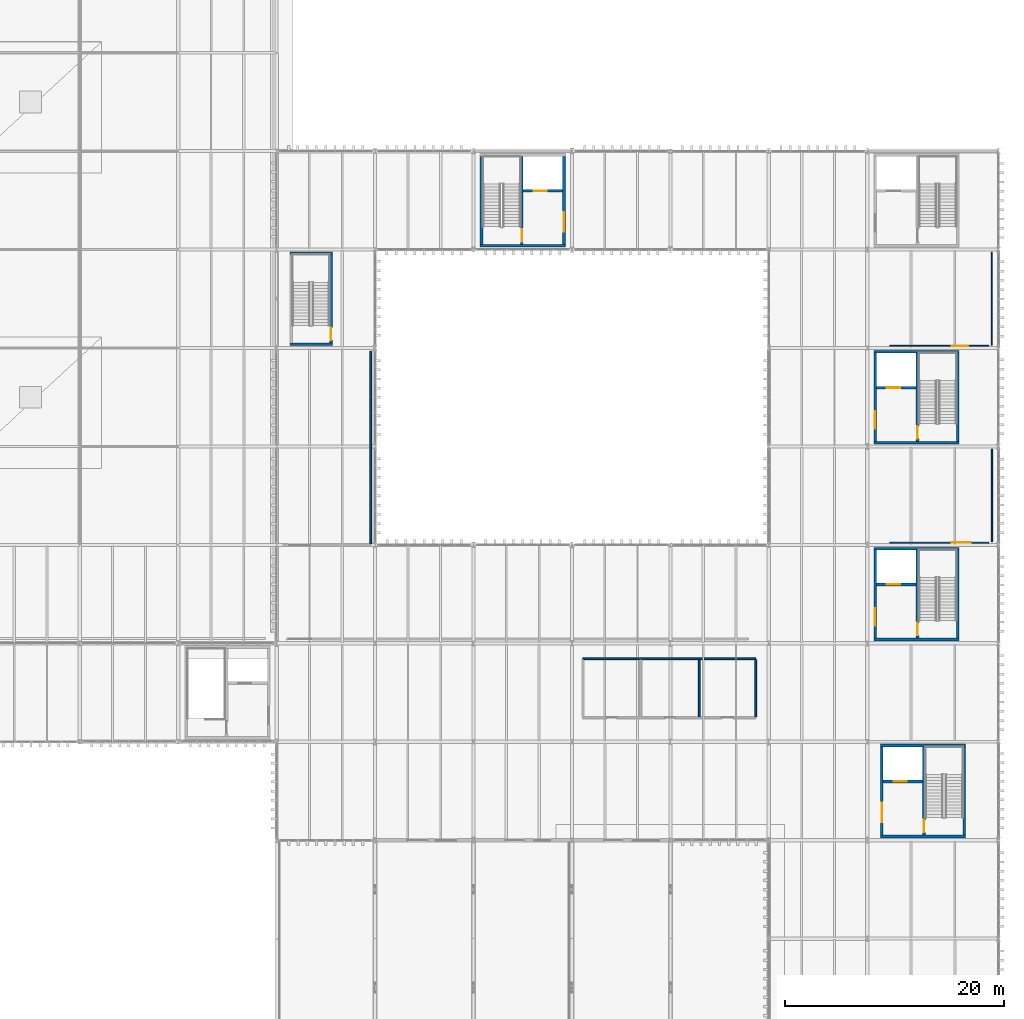
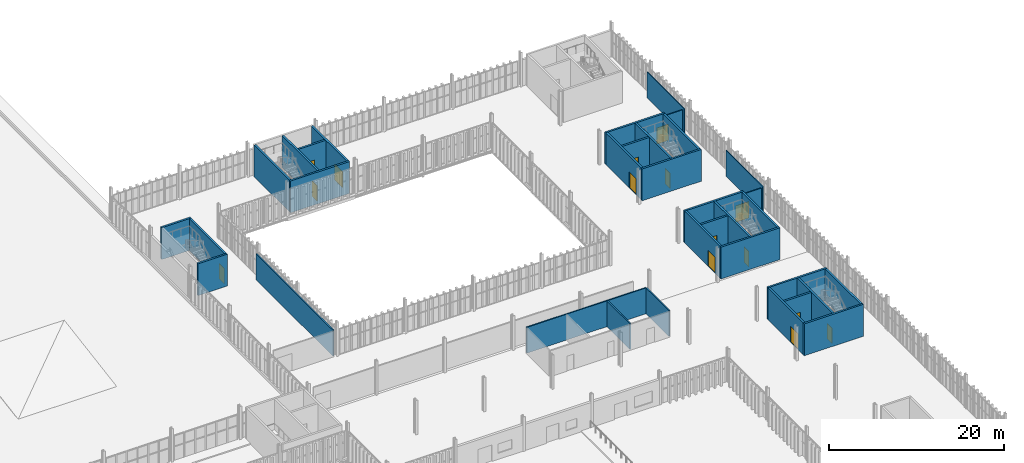
# One storey, part 181 of 196: 34 walls, 15 doors, 15 openings.
"""IFC4 building model written with IfcOpenShell, lengths in metres."""

from ifc_helpers import new_model, si_unit, direction, frame, frame_2d, origin, place, context, subcontext, project, spatial, rectangle, extrude, material, layer, layer_set, type_object, element, fill, save


model = new_model("IFC4")

# Units and contexts
model_context = context("Model", 3, precision=1e-05, world=origin(), true_north=direction((0.0, 1.0)))
body_context = subcontext(model_context, "Body", "Model", "MODEL_VIEW")
ifc_project = project(units=[si_unit("LENGTHUNIT", "METRE"), si_unit("AREAUNIT", "SQUARE_METRE"), si_unit("VOLUMEUNIT", "CUBIC_METRE"), si_unit("PLANEANGLEUNIT", "RADIAN"), si_unit("MASSUNIT", "GRAM", prefix="KILO")], contexts=[model_context])

# Site, building, storey
site_placement = place(None, origin())
site = spatial("IfcSite", under=ifc_project, at=site_placement, CompositionType="ELEMENT")
building_placement = place(site_placement, origin())
building = spatial("IfcBuilding", under=site, at=building_placement, Name="Barlavento Convention Centre", CompositionType="ELEMENT")
storey_placement = place(building_placement, frame((0.0, 0.0, 18.0)))
storey = spatial("IfcBuildingStorey", under=building, at=storey_placement, Name="L03", CompositionType="ELEMENT", Elevation=18.0)

# Wall, opening, door
ifc_material_1 = material(Name="Glazed office partition", Category="glass")
ifc_layer_1 = layer(ifc_material_1, 0.094970703125)
ifc_layer_set_1 = layer_set([ifc_layer_1], Name="ARC-WL-PART-095")
wall_type_1 = type_object("IfcWallType", Name="ARC-WL-PART-095", PredefinedType="PARTITIONING", material=ifc_layer_set_1)
wall_1_placement = place(storey_placement, frame((182.06005859375, 81.199951171875, 0.0), z_axis=(0.0, 0.0, 1.0), x_axis=(1.0, 0.0, 0.0)))
wall_1 = element("IfcWall", 1, at=wall_1_placement, inside=storey, type_object=wall_type_1, Name="L03 interior wall PT-07", PredefinedType="PARTITIONING", context=body_context, shape_type="SweptSolid", body=[
    extrude(rectangle(XDim=9.0400390625, YDim=0.094970703125, at=frame_2d((4.52001953125, 0.0))), origin(), (0.0, 0.0, 1.0), 3.60009765625),
])
opening_1_placement = place(wall_1_placement, frame((5.64990234375, 0.0, 0.0)))
opening_1 = element("IfcOpeningElement", 2, at=opening_1_placement, cuts=wall_1, Name="Opening ID-04", PredefinedType="OPENING", context=body_context, shape_type="SweptSolid", body=[
    extrude(rectangle(XDim=1.5, YDim=2.25, at=frame_2d((0.75, 1.125))), frame((0.0, 0.057373046875, 0.0), z_axis=(0.0, -1.0, 0.0), x_axis=(1.0, 0.0, 0.0)), (0.0, 0.0, 1.0), 0.114990234375),
])
ifc_material_2 = material(Name="Timber veneer acoustic core", Category="wood")
door_type_1 = type_object("IfcDoorType", Name="ARC-DR-CONF-1500X2250", OperationType="DOUBLE_DOOR_SINGLE_SWING", PredefinedType="DOOR", material=ifc_material_2)
door_1_placement = place(opening_1_placement, origin())
door_1 = element("IfcDoor", 3, at=door_1_placement, inside=storey, type_object=door_type_1, Name="DR-INT-L03-0237 L03 interior door ID-04", OperationType="DOUBLE_DOOR_SINGLE_SWING", OverallHeight=2.25, OverallWidth=1.5, PredefinedType="DOOR", context=body_context, shape_type="SweptSolid", body=[
    extrude(rectangle(XDim=1.5, YDim=2.25, at=frame_2d((0.75, 1.125))), frame((0.0, 0.02490234375, 0.0), z_axis=(0.0, -1.0, 0.0), x_axis=(1.0, 0.0, 0.0)), (0.0, 0.0, 1.0), 0.050048828125),
])
fill(opening_1, door_1)

# Wall
wall_2_placement = place(storey_placement, frame((191.39990234375, 81.257080078125, 0.0), z_axis=(0.0, 0.0, 1.0), x_axis=(0.0, 1.0, 0.0)))
element("IfcWall", 4, at=wall_2_placement, inside=storey, type_object=wall_type_1, Name="L03 interior wall PT-07", PredefinedType="PARTITIONING", context=body_context, shape_type="SweptSolid", body=[
    extrude(rectangle(XDim=8.48583984375, YDim=0.094970703125, at=frame_2d((4.242919921875, 0.0))), origin(), (0.0, 0.0, 1.0), 3.60009765625),
])

# Wall, opening, door
ifc_material_3 = material(Name="Lightweight gypsum partition")
ifc_layer_2 = layer(ifc_material_3, 0.125)
ifc_layer_set_2 = layer_set([ifc_layer_2], Name="ARC-WL-PART-125")
wall_type_2 = type_object("IfcWallType", Name="ARC-WL-PART-125", PredefinedType="PARTITIONING", material=ifc_layer_set_2)
wall_3_placement = place(storey_placement, frame((182.06005859375, 63.199951171875, 0.0), z_axis=(0.0, 0.0, 1.0), x_axis=(1.0, 0.0, 0.0)))
wall_3 = element("IfcWall", 5, at=wall_3_placement, inside=storey, type_object=wall_type_2, Name="L03 interior wall PT-05", PredefinedType="PARTITIONING", context=body_context, shape_type="SweptSolid", body=[
    extrude(rectangle(XDim=9.0400390625, YDim=0.125, at=frame_2d((4.52001953125, 0.0))), origin(), (0.0, 0.0, 1.0), 3.60009765625),
])
opening_2_placement = place(wall_3_placement, frame((5.64990234375, 0.0, 0.0)))
opening_2 = element("IfcOpeningElement", 6, at=opening_2_placement, cuts=wall_3, Name="Opening ID-03", PredefinedType="OPENING", context=body_context, shape_type="SweptSolid", body=[
    extrude(rectangle(XDim=1.75, YDim=2.300048828125, at=frame_2d((0.875, 1.14990234375))), frame((0.0, 0.072509765625, 0.0), z_axis=(0.0, -1.0, 0.0), x_axis=(1.0, 0.0, 0.0)), (0.0, 0.0, 1.0), 0.14501953125),
])
door_type_2 = type_object("IfcDoorType", Name="ARC-DR-CONF-1750X2300", OperationType="DOUBLE_DOOR_SINGLE_SWING", PredefinedType="DOOR", material=ifc_material_2)
door_2_placement = place(opening_2_placement, origin())
door_2 = element("IfcDoor", 7, at=door_2_placement, inside=storey, type_object=door_type_2, Name="DR-INT-L03-0236 L03 interior door ID-03", OperationType="DOUBLE_DOOR_SINGLE_SWING", OverallHeight=2.300048828125, OverallWidth=1.75, PredefinedType="DOOR", context=body_context, shape_type="SweptSolid", body=[
    extrude(rectangle(XDim=1.75, YDim=2.300048828125, at=frame_2d((0.875, 1.14990234375))), frame((0.0, 0.02490234375, 0.0), z_axis=(0.0, -1.0, 0.0), x_axis=(1.0, 0.0, 0.0)), (0.0, 0.0, 1.0), 0.050048828125),
])
fill(opening_2, door_2)

# Walls
wall_4_placement = place(storey_placement, frame((191.39990234375, 63.27490234375, 0.0), z_axis=(0.0, 0.0, 1.0), x_axis=(0.0, 1.0, 0.0)))
element("IfcWall", 8, at=wall_4_placement, inside=storey, type_object=wall_type_2, Name="L03 interior wall PT-05", PredefinedType="PARTITIONING", context=body_context, shape_type="SweptSolid", body=[
    extrude(rectangle(XDim=8.4501953125, YDim=0.125, at=frame_2d((4.22509765625, 0.0))), origin(), (0.0, 0.0, 1.0), 3.60009765625),
])
ifc_material_4 = material(Name="Metal stud acoustic partition")
ifc_layer_3 = layer(ifc_material_4, 0.155029296875)
ifc_layer_set_3 = layer_set([ifc_layer_3], Name="ARC-WL-PART-155")
wall_type_3 = type_object("IfcWallType", Name="ARC-WL-PART-155", PredefinedType="PARTITIONING", material=ifc_layer_set_3)
wall_5_placement = place(storey_placement, frame((134.60009765625, 63.093017578125, 0.0), z_axis=(0.0, 0.0, 1.0), x_axis=(0.0, 1.0, 0.0)))
element("IfcWall", 9, at=wall_5_placement, inside=storey, type_object=wall_type_3, Name="L03 interior wall PT-03", PredefinedType="PARTITIONING", context=body_context, shape_type="SweptSolid", body=[
    extrude(rectangle(XDim=17.614013671875, YDim=0.155029296875, at=frame_2d((8.80712890625, 0.0))), origin(), (0.0, 0.0, 1.0), 3.60009765625),
])
ifc_material_5 = material(Name="Sanitary service chase plumbing wall")
ifc_layer_4 = layer(ifc_material_5, 0.159912109375)
ifc_layer_set_4 = layer_set([ifc_layer_4], Name="ARC-WL-PLMB-160")
wall_type_4 = type_object("IfcWallType", Name="ARC-WL-PLMB-160", PredefinedType="PLUMBINGWALL", material=ifc_layer_set_4)
wall_6_placement = place(storey_placement, frame((154.0, 52.60009765625, 0.0), z_axis=(0.0, 0.0, 1.0), x_axis=(1.0, 0.0, 0.0)))
element("IfcWall", 10, at=wall_6_placement, inside=storey, type_object=wall_type_4, Name="L03 interior wall PW-03", PredefinedType="PLUMBINGWALL", context=body_context, shape_type="SweptSolid", body=[
    extrude(rectangle(XDim=15.800048828125, YDim=0.159912109375, at=frame_2d((7.89990234375, 0.0))), origin(), (0.0, 0.0, 1.0), 3.60009765625),
])
for number, where, z_axis, x_axis, name in (
    (11, (164.639892578125, 47.2880859375, 0.0), (0.0, 0.0, 1.0), (0.0, 1.0, 0.0), "L03 interior wall PW-03"),
    (12, (169.800048828125, 47.2880859375, 0.0), (0.0, 0.0, 1.0), (0.0, 1.0, 0.0), "L03 interior wall PW-03"),
):
    element("IfcWall", number, at=place(storey_placement, frame(where, z_axis=z_axis, x_axis=x_axis)), inside=storey, type_object=wall_type_4, Name=name, PredefinedType="PLUMBINGWALL", context=body_context, shape_type="SweptSolid", body=[
        extrude(rectangle(XDim=5.223876953125, YDim=0.159912109375, at=frame_2d((2.61181640625, 0.0))), origin(), (0.0, 0.0, 1.0), 3.60009765625),
    ])

# Wall, opening, door
ifc_material_6 = material(Name="Concrete C50/60", Category="concrete")
ifc_layer_5 = layer(ifc_material_6, 0.25)
ifc_layer_set_5 = layer_set([ifc_layer_5], Name="STR-WL-CORE-250")
wall_type_5 = type_object("IfcWallType", Name="STR-WL-CORE-250", PredefinedType="SHEAR", material=ifc_layer_set_5)
wall_7_placement = place(storey_placement, frame((180.72509765625, 54.469970703125, 0.0), z_axis=(0.0, 0.0, 1.0), x_axis=(0.0, 1.0, 0.0)))
wall_7 = element("IfcWall", 13, at=wall_7_placement, inside=storey, type_object=wall_type_5, Name="L03 interior wall CW-02", PredefinedType="SHEAR", context=body_context, shape_type="SweptSolid", body=[
    extrude(rectangle(XDim=8.06005859375, YDim=0.25, at=frame_2d((4.030029296875, 0.0))), origin(), (0.0, 0.0, 1.0), 4.43994140625),
])
opening_3_placement = place(wall_7_placement, frame((1.14990234375, 0.0, 0.0)))
opening_3 = element("IfcOpeningElement", 14, at=opening_3_placement, cuts=wall_7, Name="Opening FD-02", PredefinedType="OPENING", context=body_context, shape_type="SweptSolid", body=[
    extrude(rectangle(XDim=1.60009765625, YDim=2.199951171875, at=frame_2d((0.800048828125, 1.10009765625))), frame((0.0, 0.135009765625, 0.0), z_axis=(0.0, -1.0, 0.0), x_axis=(1.0, 0.0, 0.0)), (0.0, 0.0, 1.0), 0.27001953125),
])
ifc_material_7 = material(Name="Painted galvanized steel", Category="steel")
door_type_3 = type_object("IfcDoorType", Name="ARC-DR-FIRE-1600X2200", OperationType="DOUBLE_DOOR_SINGLE_SWING", PredefinedType="DOOR", material=ifc_material_7)
door_3_placement = place(opening_3_placement, origin())
door_3 = element("IfcDoor", 15, at=door_3_placement, inside=storey, type_object=door_type_3, Name="DR-INT-L03-0069 L03 LP4 lobby fire door", OperationType="DOUBLE_DOOR_SINGLE_SWING", OverallHeight=2.199951171875, OverallWidth=1.60009765625, PredefinedType="DOOR", context=body_context, shape_type="SweptSolid", body=[
    extrude(rectangle(XDim=1.60009765625, YDim=2.199951171875, at=frame_2d((0.800048828125, 1.10009765625))), frame((0.0, 0.02490234375, 0.0), z_axis=(0.0, -1.0, 0.0), x_axis=(1.0, 0.0, 0.0)), (0.0, 0.0, 1.0), 0.050048828125),
])
fill(opening_3, door_3)

# Walls
wall_8_placement = place(storey_placement, frame((188.27490234375, 54.469970703125, 0.0), z_axis=(0.0, 0.0, 1.0), x_axis=(0.0, 1.0, 0.0)))
element("IfcWall", 16, at=wall_8_placement, inside=storey, type_object=wall_type_5, Name="L03 interior wall CW-02", PredefinedType="SHEAR", context=body_context, shape_type="SweptSolid", body=[
    extrude(rectangle(XDim=8.06005859375, YDim=0.25, at=frame_2d((4.030029296875, 0.0))), origin(), (0.0, 0.0, 1.0), 4.43994140625),
])
for number, where, z_axis, x_axis, name in (
    (17, (180.60009765625, 54.344970703125, 0.0), (0.0, 0.0, 1.0), (1.0, 0.0, 0.0), "L03 interior wall CW-02"),
    (18, (180.60009765625, 62.655029296875, 0.0), (0.0, 0.0, 1.0), (1.0, 0.0, 0.0), "L03 interior wall CW-02"),
):
    element("IfcWall", number, at=place(storey_placement, frame(where, z_axis=z_axis, x_axis=x_axis)), inside=storey, type_object=wall_type_5, Name=name, PredefinedType="SHEAR", context=body_context, shape_type="SweptSolid", body=[
        extrude(rectangle(XDim=7.7998046875, YDim=0.25, at=frame_2d((3.89990234375, 0.0))), origin(), (0.0, 0.0, 1.0), 4.43994140625),
    ])

# Wall, opening, door
wall_9_placement = place(storey_placement, frame((184.5849609375, 54.469970703125, 0.0), z_axis=(0.0, 0.0, 1.0), x_axis=(0.0, 1.0, 0.0)))
wall_9 = element("IfcWall", 19, at=wall_9_placement, inside=storey, type_object=wall_type_5, Name="L03 interior wall CW-02", PredefinedType="SHEAR", context=body_context, shape_type="SweptSolid", body=[
    extrude(rectangle(XDim=8.06005859375, YDim=0.25, at=frame_2d((4.030029296875, 0.0))), origin(), (0.0, 0.0, 1.0), 4.43994140625),
])
opening_4_placement = place(wall_9_placement, frame((0.25, 0.0, 0.0)))
opening_4 = element("IfcOpeningElement", 20, at=opening_4_placement, cuts=wall_9, Name="Opening FD-03", PredefinedType="OPENING", context=body_context, shape_type="SweptSolid", body=[
    extrude(rectangle(XDim=1.14990234375, YDim=2.14990234375, at=frame_2d((0.574951171875, 1.074951171875))), frame((0.0, 0.135009765625, 0.0), z_axis=(0.0, -1.0, 0.0), x_axis=(1.0, 0.0, 0.0)), (0.0, 0.0, 1.0), 0.27001953125),
])
door_type_4 = type_object("IfcDoorType", Name="ARC-DR-FIRE-1150X2150", OperationType="NOTDEFINED", PredefinedType="DOOR", material=ifc_material_7)
door_4_placement = place(opening_4_placement, origin())
door_4 = element("IfcDoor", 21, at=door_4_placement, inside=storey, type_object=door_type_4, Name="DR-INT-L03-0067 L03 ST05 stair fire door FD-03", OperationType="SINGLE_SWING_LEFT", OverallHeight=2.14990234375, OverallWidth=1.14990234375, PredefinedType="DOOR", context=body_context, shape_type="SweptSolid", body=[
    extrude(rectangle(XDim=1.14990234375, YDim=2.14990234375, at=frame_2d((0.574951171875, 1.074951171875))), frame((0.0, 0.02490234375, 0.0), z_axis=(0.0, -1.0, 0.0), x_axis=(1.0, 0.0, 0.0)), (0.0, 0.0, 1.0), 0.050048828125),
])
fill(opening_4, door_4)

wall_10_placement = place(storey_placement, frame((180.85009765625, 59.3701171875, 0.0), z_axis=(0.0, 0.0, 1.0), x_axis=(1.0, 0.0, 0.0)))
wall_10 = element("IfcWall", 22, at=wall_10_placement, inside=storey, type_object=wall_type_5, Name="L03 interior wall CW-02", PredefinedType="SHEAR", context=body_context, shape_type="SweptSolid", body=[
    extrude(rectangle(XDim=3.60986328125, YDim=0.25, at=frame_2d((1.804931640625, 0.0))), origin(), (0.0, 0.0, 1.0), 4.43994140625),
])
opening_5_placement = place(wall_10_placement, frame((0.949951171875, 0.0, 0.0)))
opening_5 = element("IfcOpeningElement", 23, at=opening_5_placement, cuts=wall_10, Name="Opening LD-01", PredefinedType="OPENING", context=body_context, shape_type="SweptSolid", body=[
    extrude(rectangle(XDim=1.199951171875, YDim=2.199951171875, at=frame_2d((0.60009765625, 1.10009765625))), frame((0.0, 0.135009765625, 0.0), z_axis=(0.0, -1.0, 0.0), x_axis=(1.0, 0.0, 0.0)), (0.0, 0.0, 1.0), 0.27001953125),
])
ifc_material_8 = material(Name="Brushed stainless steel", Category="steel")
door_type_5 = type_object("IfcDoorType", Name="ARC-DR-LIFT-1200X2200", OperationType="DOUBLE_DOOR_SLIDING", PredefinedType="DOOR", material=ifc_material_8)
door_5_placement = place(opening_5_placement, origin())
door_5 = element("IfcDoor", 24, at=door_5_placement, inside=storey, type_object=door_type_5, Name="DR-INT-L03-0068 LP4 lift sliding landing door", OperationType="DOUBLE_DOOR_SLIDING", OverallHeight=2.199951171875, OverallWidth=1.199951171875, PredefinedType="DOOR", context=body_context, shape_type="SweptSolid", body=[
    extrude(rectangle(XDim=1.199951171875, YDim=2.199951171875, at=frame_2d((0.60009765625, 1.10009765625))), frame((0.0, 0.02490234375, 0.0), z_axis=(0.0, -1.0, 0.0), x_axis=(1.0, 0.0, 0.0)), (0.0, 0.0, 1.0), 0.050048828125),
])
fill(opening_5, door_5)

wall_11_placement = place(storey_placement, frame((181.324951171875, 36.469970703125, 0.0), z_axis=(0.0, 0.0, 1.0), x_axis=(0.0, 1.0, 0.0)))
wall_11 = element("IfcWall", 25, at=wall_11_placement, inside=storey, type_object=wall_type_5, Name="L03 interior wall CW-02", PredefinedType="SHEAR", context=body_context, shape_type="SweptSolid", body=[
    extrude(rectangle(XDim=8.06005859375, YDim=0.25, at=frame_2d((4.030029296875, 0.0))), origin(), (0.0, 0.0, 1.0), 4.449951171875),
])
opening_6_placement = place(wall_11_placement, frame((1.14990234375, 0.0, 0.0)))
opening_6 = element("IfcOpeningElement", 26, at=opening_6_placement, cuts=wall_11, Name="Opening FD-01", PredefinedType="OPENING", context=body_context, shape_type="SweptSolid", body=[
    extrude(rectangle(XDim=1.800048828125, YDim=2.199951171875, at=frame_2d((0.89990234375, 1.10009765625))), frame((0.0, 0.135009765625, 0.0), z_axis=(0.0, -1.0, 0.0), x_axis=(1.0, 0.0, 0.0)), (0.0, 0.0, 1.0), 0.27001953125),
])
door_type_6 = type_object("IfcDoorType", Name="ARC-DR-FIRE-1800X2200", OperationType="DOUBLE_DOOR_SINGLE_SWING", PredefinedType="DOOR", material=ifc_material_7)
door_6_placement = place(opening_6_placement, origin())
door_6 = element("IfcDoor", 27, at=door_6_placement, inside=storey, type_object=door_type_6, Name="DR-INT-L03-0090 L03 FL2 lobby fire door", OperationType="DOUBLE_DOOR_SINGLE_SWING", OverallHeight=2.199951171875, OverallWidth=1.800048828125, PredefinedType="DOOR", context=body_context, shape_type="SweptSolid", body=[
    extrude(rectangle(XDim=1.800048828125, YDim=2.199951171875, at=frame_2d((0.89990234375, 1.10009765625))), frame((0.0, 0.02490234375, 0.0), z_axis=(0.0, -1.0, 0.0), x_axis=(1.0, 0.0, 0.0)), (0.0, 0.0, 1.0), 0.050048828125),
])
fill(opening_6, door_6)

# Walls
wall_12_placement = place(storey_placement, frame((188.875, 36.469970703125, 0.0), z_axis=(0.0, 0.0, 1.0), x_axis=(0.0, 1.0, 0.0)))
element("IfcWall", 28, at=wall_12_placement, inside=storey, type_object=wall_type_5, Name="L03 interior wall CW-02", PredefinedType="SHEAR", context=body_context, shape_type="SweptSolid", body=[
    extrude(rectangle(XDim=8.06005859375, YDim=0.25, at=frame_2d((4.030029296875, 0.0))), origin(), (0.0, 0.0, 1.0), 4.449951171875),
])
for number, where, z_axis, x_axis, name in (
    (29, (181.199951171875, 36.344970703125, 0.0), (0.0, 0.0, 1.0), (1.0, 0.0, 0.0), "L03 interior wall CW-02"),
    (30, (181.199951171875, 44.655029296875, 0.0), (0.0, 0.0, 1.0), (1.0, 0.0, 0.0), "L03 interior wall CW-02"),
):
    element("IfcWall", number, at=place(storey_placement, frame(where, z_axis=z_axis, x_axis=x_axis)), inside=storey, type_object=wall_type_5, Name=name, PredefinedType="SHEAR", context=body_context, shape_type="SweptSolid", body=[
        extrude(rectangle(XDim=7.800048828125, YDim=0.25, at=frame_2d((3.89990234375, 0.0))), origin(), (0.0, 0.0, 1.0), 4.449951171875),
    ])

# Wall, opening, door
wall_13_placement = place(storey_placement, frame((185.18505859375, 36.469970703125, 0.0), z_axis=(0.0, 0.0, 1.0), x_axis=(0.0, 1.0, 0.0)))
wall_13 = element("IfcWall", 31, at=wall_13_placement, inside=storey, type_object=wall_type_5, Name="L03 interior wall CW-02", PredefinedType="SHEAR", context=body_context, shape_type="SweptSolid", body=[
    extrude(rectangle(XDim=8.06005859375, YDim=0.25, at=frame_2d((4.030029296875, 0.0))), origin(), (0.0, 0.0, 1.0), 4.449951171875),
])
opening_7_placement = place(wall_13_placement, frame((0.25, 0.0, 0.0)))
opening_7 = element("IfcOpeningElement", 32, at=opening_7_placement, cuts=wall_13, Name="Opening FD-03", PredefinedType="OPENING", context=body_context, shape_type="SweptSolid", body=[
    extrude(rectangle(XDim=1.14990234375, YDim=2.14990234375, at=frame_2d((0.574951171875, 1.074951171875))), frame((0.0, 0.135009765625, 0.0), z_axis=(0.0, -1.0, 0.0), x_axis=(1.0, 0.0, 0.0)), (0.0, 0.0, 1.0), 0.27001953125),
])
door_7_placement = place(opening_7_placement, origin())
door_7 = element("IfcDoor", 33, at=door_7_placement, inside=storey, type_object=door_type_4, Name="DR-INT-L03-0088 L03 ST06 stair fire door FD-03", OperationType="SINGLE_SWING_RIGHT", OverallHeight=2.14990234375, OverallWidth=1.14990234375, PredefinedType="DOOR", context=body_context, shape_type="SweptSolid", body=[
    extrude(rectangle(XDim=1.14990234375, YDim=2.14990234375, at=frame_2d((0.574951171875, 1.074951171875))), frame((0.0, 0.02490234375, 0.0), z_axis=(0.0, -1.0, 0.0), x_axis=(1.0, 0.0, 0.0)), (0.0, 0.0, 1.0), 0.050048828125),
])
fill(opening_7, door_7)

wall_14_placement = place(storey_placement, frame((181.449951171875, 41.3701171875, 0.0), z_axis=(0.0, 0.0, 1.0), x_axis=(1.0, 0.0, 0.0)))
wall_14 = element("IfcWall", 34, at=wall_14_placement, inside=storey, type_object=wall_type_5, Name="L03 interior wall CW-02", PredefinedType="SHEAR", context=body_context, shape_type="SweptSolid", body=[
    extrude(rectangle(XDim=3.610107421875, YDim=0.25, at=frame_2d((1.80517578125, 0.0))), origin(), (0.0, 0.0, 1.0), 4.449951171875),
])
opening_8_placement = place(wall_14_placement, frame((0.949951171875, 0.0, 0.0)))
opening_8 = element("IfcOpeningElement", 35, at=opening_8_placement, cuts=wall_14, Name="Opening LD-01", PredefinedType="OPENING", context=body_context, shape_type="SweptSolid", body=[
    extrude(rectangle(XDim=1.199951171875, YDim=2.199951171875, at=frame_2d((0.60009765625, 1.10009765625))), frame((0.0, 0.135009765625, 0.0), z_axis=(0.0, -1.0, 0.0), x_axis=(1.0, 0.0, 0.0)), (0.0, 0.0, 1.0), 0.27001953125),
])
door_8_placement = place(opening_8_placement, origin())
door_8 = element("IfcDoor", 36, at=door_8_placement, inside=storey, type_object=door_type_5, Name="DR-INT-L03-0089 FL2 lift sliding landing door", OperationType="DOUBLE_DOOR_SLIDING", OverallHeight=2.199951171875, OverallWidth=1.199951171875, PredefinedType="DOOR", context=body_context, shape_type="SweptSolid", body=[
    extrude(rectangle(XDim=1.199951171875, YDim=2.199951171875, at=frame_2d((0.60009765625, 1.10009765625))), frame((0.0, 0.02490234375, 0.0), z_axis=(0.0, -1.0, 0.0), x_axis=(1.0, 0.0, 0.0)), (0.0, 0.0, 1.0), 0.050048828125),
])
fill(opening_8, door_8)

wall_15_placement = place(storey_placement, frame((180.72509765625, 72.469970703125, 0.0), z_axis=(0.0, 0.0, 1.0), x_axis=(0.0, 1.0, 0.0)))
wall_15 = element("IfcWall", 37, at=wall_15_placement, inside=storey, type_object=wall_type_5, Name="L03 interior wall CW-02", PredefinedType="SHEAR", context=body_context, shape_type="SweptSolid", body=[
    extrude(rectangle(XDim=8.06005859375, YDim=0.25, at=frame_2d((4.030029296875, 0.0))), origin(), (0.0, 0.0, 1.0), 4.43994140625),
])
opening_9_placement = place(wall_15_placement, frame((1.14990234375, 0.0, 0.0)))
opening_9 = element("IfcOpeningElement", 38, at=opening_9_placement, cuts=wall_15, Name="Opening FD-02", PredefinedType="OPENING", context=body_context, shape_type="SweptSolid", body=[
    extrude(rectangle(XDim=1.60009765625, YDim=2.199951171875, at=frame_2d((0.800048828125, 1.10009765625))), frame((0.0, 0.135009765625, 0.0), z_axis=(0.0, -1.0, 0.0), x_axis=(1.0, 0.0, 0.0)), (0.0, 0.0, 1.0), 0.27001953125),
])
door_9_placement = place(opening_9_placement, origin())
door_9 = element("IfcDoor", 39, at=door_9_placement, inside=storey, type_object=door_type_3, Name="DR-INT-L03-0111 L03 LP5 lobby fire door", OperationType="DOUBLE_DOOR_SINGLE_SWING", OverallHeight=2.199951171875, OverallWidth=1.60009765625, PredefinedType="DOOR", context=body_context, shape_type="SweptSolid", body=[
    extrude(rectangle(XDim=1.60009765625, YDim=2.199951171875, at=frame_2d((0.800048828125, 1.10009765625))), frame((0.0, 0.02490234375, 0.0), z_axis=(0.0, -1.0, 0.0), x_axis=(1.0, 0.0, 0.0)), (0.0, 0.0, 1.0), 0.050048828125),
])
fill(opening_9, door_9)

# Walls
wall_16_placement = place(storey_placement, frame((188.27490234375, 72.469970703125, 0.0), z_axis=(0.0, 0.0, 1.0), x_axis=(0.0, 1.0, 0.0)))
element("IfcWall", 40, at=wall_16_placement, inside=storey, type_object=wall_type_5, Name="L03 interior wall CW-02", PredefinedType="SHEAR", context=body_context, shape_type="SweptSolid", body=[
    extrude(rectangle(XDim=8.06005859375, YDim=0.25, at=frame_2d((4.030029296875, 0.0))), origin(), (0.0, 0.0, 1.0), 4.43994140625),
])
for number, where, z_axis, x_axis, name in (
    (41, (180.60009765625, 72.344970703125, 0.0), (0.0, 0.0, 1.0), (1.0, 0.0, 0.0), "L03 interior wall CW-02"),
    (42, (180.60009765625, 80.655029296875, 0.0), (0.0, 0.0, 1.0), (1.0, 0.0, 0.0), "L03 interior wall CW-02"),
):
    element("IfcWall", number, at=place(storey_placement, frame(where, z_axis=z_axis, x_axis=x_axis)), inside=storey, type_object=wall_type_5, Name=name, PredefinedType="SHEAR", context=body_context, shape_type="SweptSolid", body=[
        extrude(rectangle(XDim=7.7998046875, YDim=0.25, at=frame_2d((3.89990234375, 0.0))), origin(), (0.0, 0.0, 1.0), 4.43994140625),
    ])

# Wall, opening, door
wall_17_placement = place(storey_placement, frame((184.5849609375, 72.469970703125, 0.0), z_axis=(0.0, 0.0, 1.0), x_axis=(0.0, 1.0, 0.0)))
wall_17 = element("IfcWall", 43, at=wall_17_placement, inside=storey, type_object=wall_type_5, Name="L03 interior wall CW-02", PredefinedType="SHEAR", context=body_context, shape_type="SweptSolid", body=[
    extrude(rectangle(XDim=8.06005859375, YDim=0.25, at=frame_2d((4.030029296875, 0.0))), origin(), (0.0, 0.0, 1.0), 4.43994140625),
])
opening_10_placement = place(wall_17_placement, frame((0.25, 0.0, 0.0)))
opening_10 = element("IfcOpeningElement", 44, at=opening_10_placement, cuts=wall_17, Name="Opening FD-03", PredefinedType="OPENING", context=body_context, shape_type="SweptSolid", body=[
    extrude(rectangle(XDim=1.14990234375, YDim=2.14990234375, at=frame_2d((0.574951171875, 1.074951171875))), frame((0.0, 0.135009765625, 0.0), z_axis=(0.0, -1.0, 0.0), x_axis=(1.0, 0.0, 0.0)), (0.0, 0.0, 1.0), 0.27001953125),
])
door_10_placement = place(opening_10_placement, origin())
door_10 = element("IfcDoor", 45, at=door_10_placement, inside=storey, type_object=door_type_4, Name="DR-INT-L03-0109 L03 ST07 stair fire door FD-03", OperationType="SINGLE_SWING_LEFT", OverallHeight=2.14990234375, OverallWidth=1.14990234375, PredefinedType="DOOR", context=body_context, shape_type="SweptSolid", body=[
    extrude(rectangle(XDim=1.14990234375, YDim=2.14990234375, at=frame_2d((0.574951171875, 1.074951171875))), frame((0.0, 0.02490234375, 0.0), z_axis=(0.0, -1.0, 0.0), x_axis=(1.0, 0.0, 0.0)), (0.0, 0.0, 1.0), 0.050048828125),
])
fill(opening_10, door_10)

wall_18_placement = place(storey_placement, frame((180.85009765625, 77.3701171875, 0.0), z_axis=(0.0, 0.0, 1.0), x_axis=(1.0, 0.0, 0.0)))
wall_18 = element("IfcWall", 46, at=wall_18_placement, inside=storey, type_object=wall_type_5, Name="L03 interior wall CW-02", PredefinedType="SHEAR", context=body_context, shape_type="SweptSolid", body=[
    extrude(rectangle(XDim=3.60986328125, YDim=0.25, at=frame_2d((1.804931640625, 0.0))), origin(), (0.0, 0.0, 1.0), 4.43994140625),
])
opening_11_placement = place(wall_18_placement, frame((0.949951171875, 0.0, 0.0)))
opening_11 = element("IfcOpeningElement", 47, at=opening_11_placement, cuts=wall_18, Name="Opening LD-01", PredefinedType="OPENING", context=body_context, shape_type="SweptSolid", body=[
    extrude(rectangle(XDim=1.199951171875, YDim=2.199951171875, at=frame_2d((0.60009765625, 1.10009765625))), frame((0.0, 0.135009765625, 0.0), z_axis=(0.0, -1.0, 0.0), x_axis=(1.0, 0.0, 0.0)), (0.0, 0.0, 1.0), 0.27001953125),
])
door_11_placement = place(opening_11_placement, origin())
door_11 = element("IfcDoor", 48, at=door_11_placement, inside=storey, type_object=door_type_5, Name="DR-INT-L03-0110 LP5 lift sliding landing door", OperationType="DOUBLE_DOOR_SLIDING", OverallHeight=2.199951171875, OverallWidth=1.199951171875, PredefinedType="DOOR", context=body_context, shape_type="SweptSolid", body=[
    extrude(rectangle(XDim=1.199951171875, YDim=2.199951171875, at=frame_2d((0.60009765625, 1.10009765625))), frame((0.0, 0.02490234375, 0.0), z_axis=(0.0, -1.0, 0.0), x_axis=(1.0, 0.0, 0.0)), (0.0, 0.0, 1.0), 0.050048828125),
])
fill(opening_11, door_11)

# Wall
wall_19_placement = place(storey_placement, frame((144.72509765625, 90.469970703125, 0.0), z_axis=(0.0, 0.0, 1.0), x_axis=(0.0, 1.0, 0.0)))
element("IfcWall", 49, at=wall_19_placement, inside=storey, type_object=wall_type_5, Name="L03 interior wall CW-02", PredefinedType="SHEAR", context=body_context, shape_type="SweptSolid", body=[
    extrude(rectangle(XDim=8.06005859375, YDim=0.25, at=frame_2d((4.030029296875, 0.0))), origin(), (0.0, 0.0, 1.0), 4.43994140625),
])

# Wall, opening, door
wall_20_placement = place(storey_placement, frame((152.27490234375, 90.469970703125, 0.0), z_axis=(0.0, 0.0, 1.0), x_axis=(0.0, 1.0, 0.0)))
wall_20 = element("IfcWall", 50, at=wall_20_placement, inside=storey, type_object=wall_type_5, Name="L03 interior wall CW-02", PredefinedType="SHEAR", context=body_context, shape_type="SweptSolid", body=[
    extrude(rectangle(XDim=8.06005859375, YDim=0.25, at=frame_2d((4.030029296875, 0.0))), origin(), (0.0, 0.0, 1.0), 4.43994140625),
])
opening_12_placement = place(wall_20_placement, frame((1.14990234375, 0.0, 0.0)))
opening_12 = element("IfcOpeningElement", 51, at=opening_12_placement, cuts=wall_20, Name="Opening FD-01", PredefinedType="OPENING", context=body_context, shape_type="SweptSolid", body=[
    extrude(rectangle(XDim=1.800048828125, YDim=2.199951171875, at=frame_2d((0.89990234375, 1.10009765625))), frame((0.0, 0.135009765625, 0.0), z_axis=(0.0, -1.0, 0.0), x_axis=(1.0, 0.0, 0.0)), (0.0, 0.0, 1.0), 0.27001953125),
])
door_12_placement = place(opening_12_placement, origin())
door_12 = element("IfcDoor", 52, at=door_12_placement, inside=storey, type_object=door_type_6, Name="DR-INT-L03-0153 L03 FL1 lobby fire door", OperationType="DOUBLE_DOOR_SINGLE_SWING", OverallHeight=2.199951171875, OverallWidth=1.800048828125, PredefinedType="DOOR", context=body_context, shape_type="SweptSolid", body=[
    extrude(rectangle(XDim=1.800048828125, YDim=2.199951171875, at=frame_2d((0.89990234375, 1.10009765625))), frame((0.0, 0.02490234375, 0.0), z_axis=(0.0, -1.0, 0.0), x_axis=(1.0, 0.0, 0.0)), (0.0, 0.0, 1.0), 0.050048828125),
])
fill(opening_12, door_12)

# Wall
wall_21_placement = place(storey_placement, frame((144.60009765625, 90.344970703125, 0.0), z_axis=(0.0, 0.0, 1.0), x_axis=(1.0, 0.0, 0.0)))
element("IfcWall", 53, at=wall_21_placement, inside=storey, type_object=wall_type_5, Name="L03 interior wall CW-02", PredefinedType="SHEAR", context=body_context, shape_type="SweptSolid", body=[
    extrude(rectangle(XDim=7.7998046875, YDim=0.25, at=frame_2d((3.89990234375, 0.0))), origin(), (0.0, 0.0, 1.0), 4.43994140625),
])

# Wall, opening, door
wall_22_placement = place(storey_placement, frame((148.4150390625, 90.469970703125, 0.0), z_axis=(0.0, 0.0, 1.0), x_axis=(0.0, 1.0, 0.0)))
wall_22 = element("IfcWall", 54, at=wall_22_placement, inside=storey, type_object=wall_type_5, Name="L03 interior wall CW-02", PredefinedType="SHEAR", context=body_context, shape_type="SweptSolid", body=[
    extrude(rectangle(XDim=8.06005859375, YDim=0.25, at=frame_2d((4.030029296875, 0.0))), origin(), (0.0, 0.0, 1.0), 4.43994140625),
])
opening_13_placement = place(wall_22_placement, frame((0.25, 0.0, 0.0)))
opening_13 = element("IfcOpeningElement", 55, at=opening_13_placement, cuts=wall_22, Name="Opening FD-03", PredefinedType="OPENING", context=body_context, shape_type="SweptSolid", body=[
    extrude(rectangle(XDim=1.14990234375, YDim=2.14990234375, at=frame_2d((0.574951171875, 1.074951171875))), frame((0.0, 0.135009765625, 0.0), z_axis=(0.0, -1.0, 0.0), x_axis=(1.0, 0.0, 0.0)), (0.0, 0.0, 1.0), 0.27001953125),
])
door_13_placement = place(opening_13_placement, origin())
door_13 = element("IfcDoor", 56, at=door_13_placement, inside=storey, type_object=door_type_4, Name="DR-INT-L03-0151 L03 ST09 stair fire door FD-03", OperationType="SINGLE_SWING_LEFT", OverallHeight=2.14990234375, OverallWidth=1.14990234375, PredefinedType="DOOR", context=body_context, shape_type="SweptSolid", body=[
    extrude(rectangle(XDim=1.14990234375, YDim=2.14990234375, at=frame_2d((0.574951171875, 1.074951171875))), frame((0.0, 0.02490234375, 0.0), z_axis=(0.0, -1.0, 0.0), x_axis=(1.0, 0.0, 0.0)), (0.0, 0.0, 1.0), 0.050048828125),
])
fill(opening_13, door_13)

wall_23_placement = place(storey_placement, frame((148.5400390625, 95.3701171875, 0.0), z_axis=(0.0, 0.0, 1.0), x_axis=(1.0, 0.0, 0.0)))
wall_23 = element("IfcWall", 57, at=wall_23_placement, inside=storey, type_object=wall_type_5, Name="L03 interior wall CW-02", PredefinedType="SHEAR", context=body_context, shape_type="SweptSolid", body=[
    extrude(rectangle(XDim=3.60986328125, YDim=0.25, at=frame_2d((1.804931640625, 0.0))), origin(), (0.0, 0.0, 1.0), 4.43994140625),
])
opening_14_placement = place(wall_23_placement, frame((0.949951171875, 0.0, 0.0)))
opening_14 = element("IfcOpeningElement", 58, at=opening_14_placement, cuts=wall_23, Name="Opening LD-01", PredefinedType="OPENING", context=body_context, shape_type="SweptSolid", body=[
    extrude(rectangle(XDim=1.199951171875, YDim=2.199951171875, at=frame_2d((0.60009765625, 1.10009765625))), frame((0.0, 0.135009765625, 0.0), z_axis=(0.0, -1.0, 0.0), x_axis=(1.0, 0.0, 0.0)), (0.0, 0.0, 1.0), 0.27001953125),
])
door_14_placement = place(opening_14_placement, origin())
door_14 = element("IfcDoor", 59, at=door_14_placement, inside=storey, type_object=door_type_5, Name="DR-INT-L03-0152 FL1 lift sliding landing door", OperationType="DOUBLE_DOOR_SLIDING", OverallHeight=2.199951171875, OverallWidth=1.199951171875, PredefinedType="DOOR", context=body_context, shape_type="SweptSolid", body=[
    extrude(rectangle(XDim=1.199951171875, YDim=2.199951171875, at=frame_2d((0.60009765625, 1.10009765625))), frame((0.0, 0.02490234375, 0.0), z_axis=(0.0, -1.0, 0.0), x_axis=(1.0, 0.0, 0.0)), (0.0, 0.0, 1.0), 0.050048828125),
])
fill(opening_14, door_14)

wall_24_placement = place(storey_placement, frame((130.97509765625, 81.469970703125, 0.0), z_axis=(0.0, 0.0, 1.0), x_axis=(0.0, 1.0, 0.0)))
wall_24 = element("IfcWall", 60, at=wall_24_placement, inside=storey, type_object=wall_type_5, Name="L03 interior wall CW-02", PredefinedType="SHEAR", context=body_context, shape_type="SweptSolid", body=[
    extrude(rectangle(XDim=8.06005859375, YDim=0.25, at=frame_2d((4.030029296875, 0.0))), origin(), (0.0, 0.0, 1.0), 4.43994140625),
])
opening_15_placement = place(wall_24_placement, frame((0.25, 0.0, 0.0)))
opening_15 = element("IfcOpeningElement", 61, at=opening_15_placement, cuts=wall_24, Name="Opening FD-03", PredefinedType="OPENING", context=body_context, shape_type="SweptSolid", body=[
    extrude(rectangle(XDim=1.14990234375, YDim=2.14990234375, at=frame_2d((0.574951171875, 1.074951171875))), frame((0.0, 0.135009765625, 0.0), z_axis=(0.0, -1.0, 0.0), x_axis=(1.0, 0.0, 0.0)), (0.0, 0.0, 1.0), 0.27001953125),
])
door_15_placement = place(opening_15_placement, origin())
door_15 = element("IfcDoor", 62, at=door_15_placement, inside=storey, type_object=door_type_4, Name="DR-INT-L03-0174 L03 ST12 stair fire door FD-03", OperationType="SINGLE_SWING_RIGHT", OverallHeight=2.14990234375, OverallWidth=1.14990234375, PredefinedType="DOOR", context=body_context, shape_type="SweptSolid", body=[
    extrude(rectangle(XDim=1.14990234375, YDim=2.14990234375, at=frame_2d((0.574951171875, 1.074951171875))), frame((0.0, 0.02490234375, 0.0), z_axis=(0.0, -1.0, 0.0), x_axis=(1.0, 0.0, 0.0)), (0.0, 0.0, 1.0), 0.050048828125),
])
fill(opening_15, door_15)

# Walls
for number, where, z_axis, x_axis, name in (
    (63, (127.199951171875, 81.344970703125, 0.0), (0.0, 0.0, 1.0), (1.0, 0.0, 0.0), "L03 interior wall CW-02"),
    (64, (127.199951171875, 89.655029296875, 0.0), (0.0, 0.0, 1.0), (1.0, 0.0, 0.0), "L03 interior wall CW-02"),
):
    element("IfcWall", number, at=place(storey_placement, frame(where, z_axis=z_axis, x_axis=x_axis)), inside=storey, type_object=wall_type_5, Name=name, PredefinedType="SHEAR", context=body_context, shape_type="SweptSolid", body=[
        extrude(rectangle(XDim=3.900146484375, YDim=0.25, at=frame_2d((1.9501953125, 0.0))), origin(), (0.0, 0.0, 1.0), 4.43994140625),
    ])

save(model, "model.ifc")
